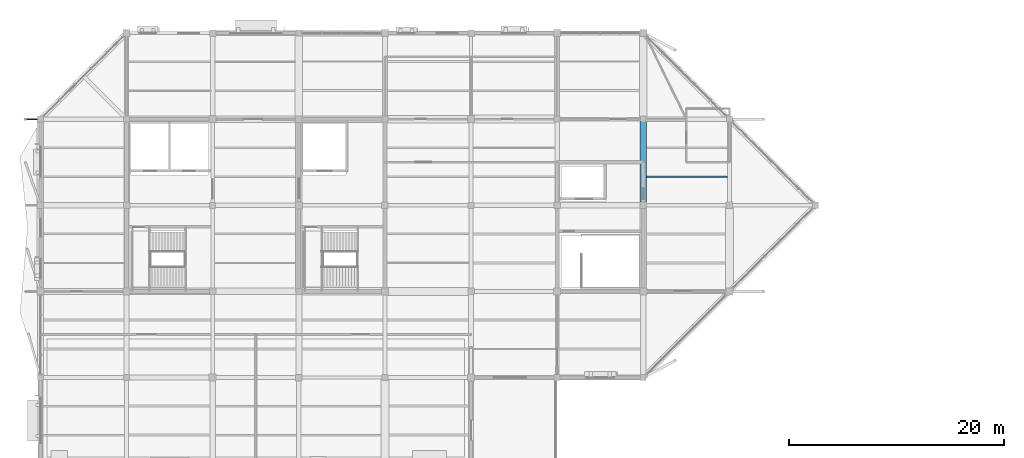
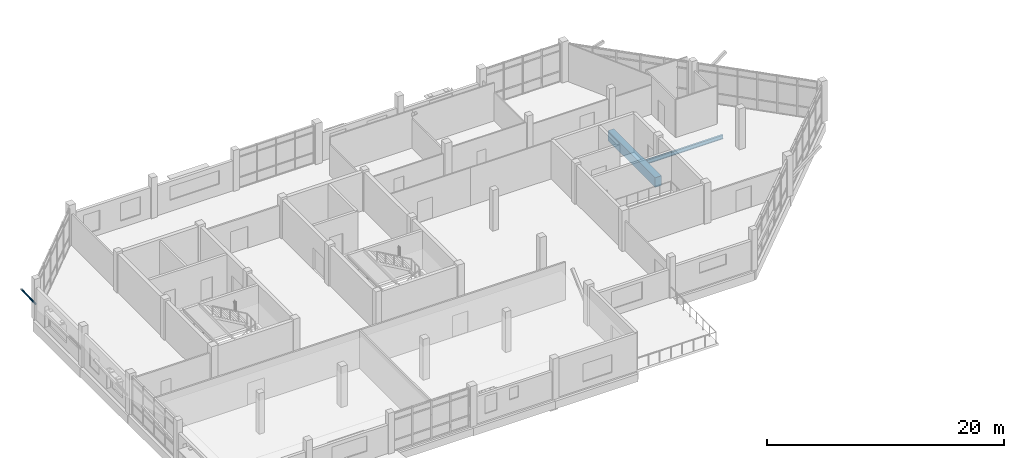
# One storey, part 19 of 72: 2 beams, 1 member.
"""IFC4 building model written with IfcOpenShell, lengths in metres."""

from ifc_helpers import new_model, si_unit, direction, frame, origin, origin_2d, place, context, subcontext, project, spatial, rectangle, hollow_circle, i_section, extrude, material, material_profile, profile_set, type_object, element, save


model = new_model("IFC4")

# Units and contexts
model_context = context("Model", 3, precision=1e-05, world=origin(), true_north=direction((0.0, 1.0)))
body_context = subcontext(model_context, "Body", "Model", "MODEL_VIEW")
ifc_project = project(units=[si_unit("LENGTHUNIT", "METRE"), si_unit("AREAUNIT", "SQUARE_METRE"), si_unit("VOLUMEUNIT", "CUBIC_METRE"), si_unit("PLANEANGLEUNIT", "RADIAN"), si_unit("MASSUNIT", "GRAM", prefix="KILO")], contexts=[model_context])

# Site, building, storey
site_placement = place(None, origin())
site = spatial("IfcSite", under=ifc_project, at=site_placement, CompositionType="ELEMENT")
building_placement = place(site_placement, origin())
building = spatial("IfcBuilding", under=site, at=building_placement, Name="Tenunan Teduh Sports Hall", CompositionType="ELEMENT")
storey_placement = place(building_placement, frame((0.0, 0.0, 15.0)))
storey = spatial("IfcBuildingStorey", under=building, at=storey_placement, Name="L03", CompositionType="ELEMENT", Elevation=15.0)

# Beam
ifc_material_1 = material(Name="Concrete C40/50", Category="concrete")
ifc_material_profile_1 = material_profile(ifc_material_1, rectangle(XDim=0.60009765625, YDim=1.0, at=origin_2d()), Name="RCB 600x1000")
ifc_profile_set_1 = profile_set([ifc_material_profile_1], Name="Concrete C40/50")
beam_type_1 = type_object("IfcBeamType", Name="BM-RC-600x1000", PredefinedType="BEAM", material=ifc_profile_set_1)
beam_1_placement = place(storey_placement, frame((62.0, 102.0, -0.739990234375), z_axis=(0.0, 1.0, 0.0), x_axis=(-1.0, 0.0, 0.0)))
element("IfcBeam", 1, at=beam_1_placement, inside=storey, type_object=beam_type_1, Name="BM-B-18-L03-1928", PredefinedType="BEAM", context=body_context, shape_type="SweptSolid", body=[
    extrude(rectangle(XDim=0.60009765625, YDim=1.0, at=origin_2d()), origin(), (0.0, 0.0, 1.0), 8.0),
])

# Member
ifc_material_2 = material(Name="Steel S355", Category="steel")
ifc_material_profile_2 = material_profile(ifc_material_2, hollow_circle(Radius=0.084228515625, WallThickness=0.008056640625, at=origin_2d()), Name="CHS 168.3x8.0")
ifc_profile_set_2 = profile_set([ifc_material_profile_2], Name="Steel S355")
member_type = type_object("IfcMemberType", Name="MEM-BR-CHS168", PredefinedType="BRACE", material=ifc_profile_set_2)
member_placement = place(storey_placement, frame((6.0, 110.0, 1.39990234375), z_axis=(-0.56960249662, 0.0, 0.821920309911), x_axis=(0.0, -1.0, 0.0)))
element("IfcMember", 2, at=member_placement, inside=storey, type_object=member_type, Name="MEM-GD-04-L03-1275", PredefinedType="BRACE", context=body_context, shape_type="SweptSolid", body=[
    extrude(hollow_circle(Radius=0.084228515625, WallThickness=0.008056640625, at=origin_2d()), origin(), (0.0, 0.0, 1.0), 2.457763671875),
])

# Beam
ifc_material_3 = material(Name="Steel S355", Category="steel")
ifc_material_profile_3 = material_profile(ifc_material_3, i_section(OverallWidth=0.177978515625, OverallDepth=0.406494140625, WebThickness=0.0078125, FlangeThickness=0.0126953125, FilletRadius=0.01025390625, at=origin_2d()), Name="UKB 406x178x60")
ifc_profile_set_3 = profile_set([ifc_material_profile_3], Name="Steel S355")
beam_type_2 = type_object("IfcBeamType", Name="SBM-UKB406", PredefinedType="BEAM", material=ifc_profile_set_3)
beam_2_placement = place(storey_placement, frame((62.300048828125, 104.64990234375, -0.443115234375), z_axis=(1.0, 0.0, 0.0), x_axis=(0.0, 1.0, 0.0)))
element("IfcBeam", 3, at=beam_2_placement, inside=storey, type_object=beam_type_2, Name="BM-SB-03-L03-2008", PredefinedType="BEAM", context=body_context, shape_type="SweptSolid", body=[
    extrude(i_section(OverallWidth=0.177978515625, OverallDepth=0.406494140625, WebThickness=0.0078125, FlangeThickness=0.0126953125, FilletRadius=0.01025390625, at=origin_2d()), origin(), (0.0, 0.0, 1.0), 7.52490234375),
])

save(model, "model.ifc")
